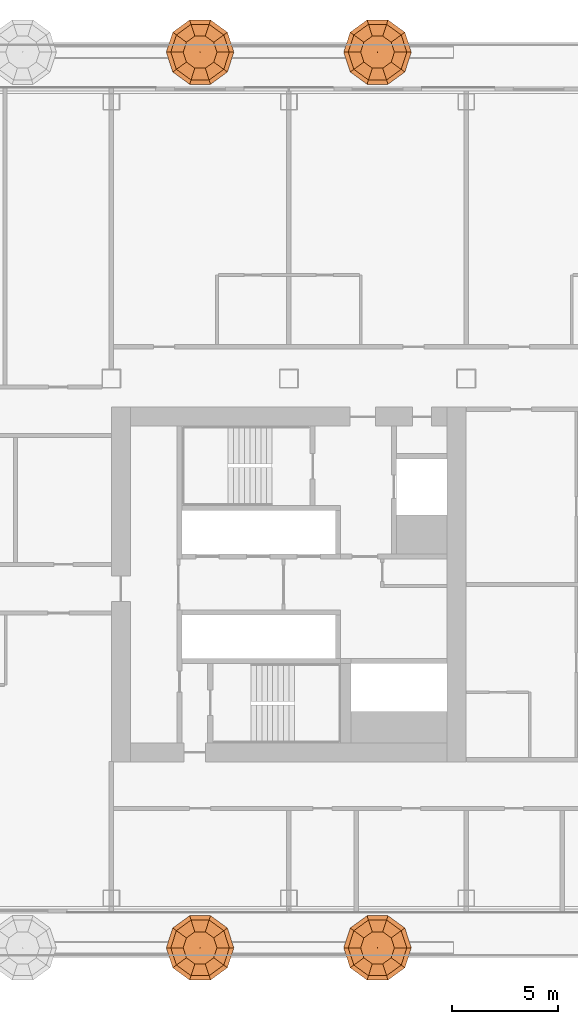
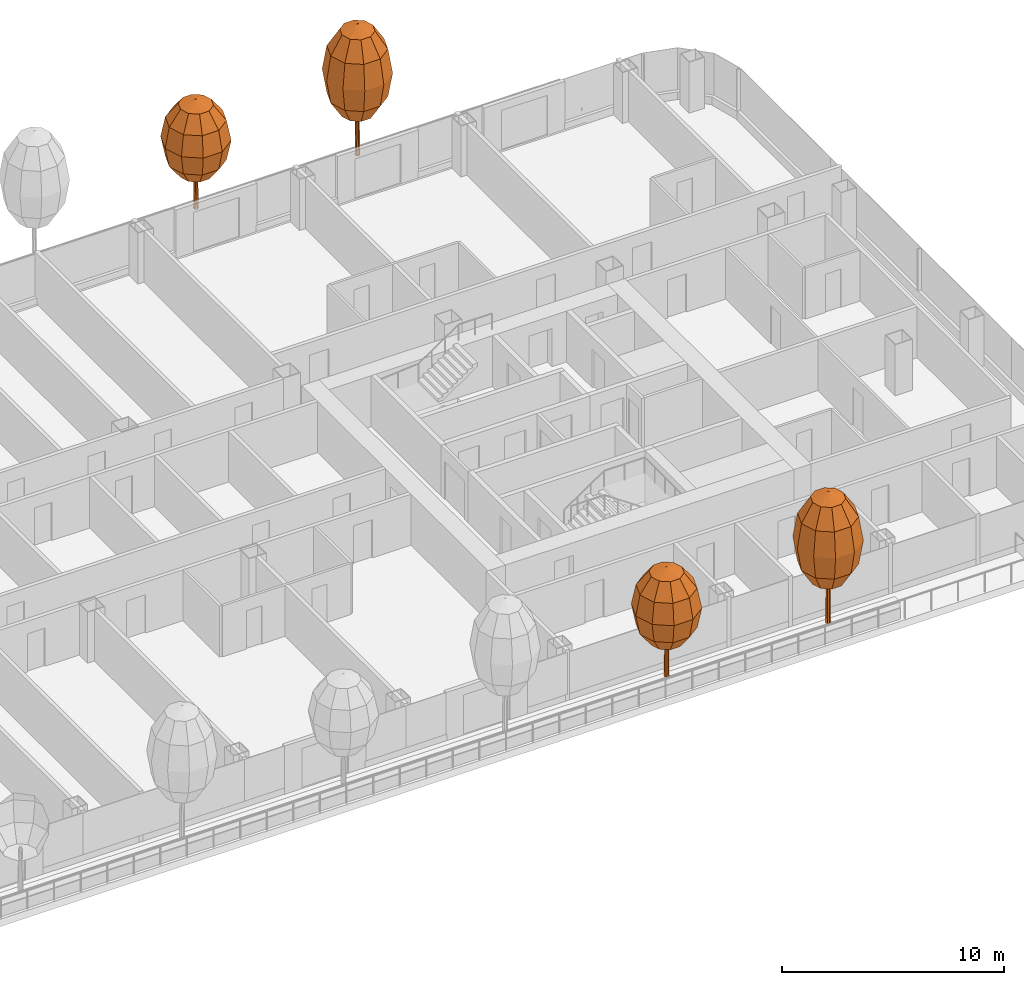
# One storey, part 34 of 34: 4 geographic elements.
"""IFC4 building model written with IfcOpenShell, lengths in metres."""

from ifc_helpers import new_model, si_unit, direction, frame, origin, place, context, subcontext, project, spatial, triangles, material, type_object, element, save


model = new_model("IFC4")

# Units and contexts
model_context = context("Model", 3, precision=1e-05, world=origin(), true_north=direction((0.0, 1.0)))
body_context = subcontext(model_context, "Body", "Model", "MODEL_VIEW")
ifc_project = project(units=[si_unit("LENGTHUNIT", "METRE"), si_unit("AREAUNIT", "SQUARE_METRE"), si_unit("VOLUMEUNIT", "CUBIC_METRE"), si_unit("PLANEANGLEUNIT", "RADIAN"), si_unit("MASSUNIT", "GRAM", prefix="KILO")], contexts=[model_context])

# Site, building, storey
site_placement = place(None, origin())
site = spatial("IfcSite", under=ifc_project, at=site_placement, CompositionType="ELEMENT")
building_placement = place(site_placement, origin())
building = spatial("IfcBuilding", under=site, at=building_placement, Name="Hakoniwa Tower and Hamabe Station Hall", CompositionType="ELEMENT")
storey_placement = place(building_placement, frame((0.0, 0.0, 107.39990234375)))
storey = spatial("IfcBuildingStorey", under=building, at=storey_placement, Name="L30", CompositionType="ELEMENT", Elevation=107.39990234375)

# Geographic elements
ifc_material_1 = material(Name="Tree foliage")
geographic_element_type_1 = type_object("IfcGeographicElementType", Name="Japanese maple 7.2 m", PredefinedType="USERDEFINED", material=ifc_material_1)
geographic_element_1_placement = place(storey_placement, frame((29.39990234375, 25.199951171875, 0.900146484375)))
element("IfcGeographicElement", 1, at=geographic_element_1_placement, inside=storey, type_object=geographic_element_type_1, Name="Japanese maple 7-2 m", ObjectType="TREE", PredefinedType="USERDEFINED", context=body_context, shape_type="Tessellation", body=[
    triangles([(0.125, 0.0, 0.0), (0.08837890625, 0.08837890625, 0.0), (0.0, 0.125, 0.0), (-0.08837890625, 0.08837890625, 0.0), (-0.125, 0.0, 0.0), (-0.08837890625, -0.08837890625, 0.0), (0.0, -0.125, 0.0), (0.08837890625, -0.08837890625, 0.0), (0.074951171875, 0.0, 4.348876953125), (0.052978515625, 0.052978515625, 4.348876953125), (0.0, 0.074951171875, 4.348876953125), (-0.052978515625, 0.052978515625, 4.348876953125), (-0.074951171875, 0.0, 4.348876953125), (-0.052978515625, -0.052978515625, 4.348876953125), (0.0, -0.074951171875, 4.348876953125), (0.052978515625, -0.052978515625, 4.348876953125), (0.0, 0.0, 0.0), (0.0, 0.0, 4.348876953125)], [[1, 2, 10], [1, 10, 9], [17, 2, 1], [18, 9, 10], [2, 3, 11], [2, 11, 10], [17, 3, 2], [18, 10, 11], [3, 4, 12], [3, 12, 11], [17, 4, 3], [18, 11, 12], [4, 5, 13], [4, 13, 12], [17, 5, 4], [18, 12, 13], [5, 6, 14], [5, 14, 13], [17, 6, 5], [18, 13, 14], [6, 7, 15], [6, 15, 14], [17, 7, 6], [18, 14, 15], [7, 8, 16], [7, 16, 15], [17, 8, 7], [18, 15, 16], [8, 1, 9], [8, 9, 16], [17, 1, 8], [18, 16, 9]], closed=True),
    triangles([(0.0, 0.0, 2.015869140625), (0.800048828125, 0.0, 2.36328125), (0.647216796875, 0.47021484375, 2.36328125), (0.247314453125, 0.7607421875, 2.36328125), (-0.247314453125, 0.7607421875, 2.36328125), (-0.647216796875, 0.47021484375, 2.36328125), (-0.800048828125, 0.0, 2.36328125), (-0.647216796875, -0.47021484375, 2.36328125), (-0.247314453125, -0.7607421875, 2.36328125), (0.247314453125, -0.7607421875, 2.36328125), (0.647216796875, -0.47021484375, 2.36328125), (1.385498046875, 0.0, 3.31201171875), (1.12109375, 0.814453125, 3.31201171875), (0.42822265625, 1.31787109375, 3.31201171875), (-0.42822265625, 1.31787109375, 3.31201171875), (-1.12109375, 0.814453125, 3.31201171875), (-1.385498046875, 0.0, 3.31201171875), (-1.12109375, -0.814453125, 3.31201171875), (-0.42822265625, -1.31787109375, 3.31201171875), (0.42822265625, -1.31787109375, 3.31201171875), (1.12109375, -0.814453125, 3.31201171875), (1.60009765625, 0.0, 4.60791015625), (1.29443359375, 0.9404296875, 4.60791015625), (0.494384765625, 1.521728515625, 4.60791015625), (-0.494384765625, 1.521728515625, 4.60791015625), (-1.29443359375, 0.9404296875, 4.60791015625), (-1.60009765625, 0.0, 4.60791015625), (-1.29443359375, -0.9404296875, 4.60791015625), (-0.494384765625, -1.521728515625, 4.60791015625), (0.494384765625, -1.521728515625, 4.60791015625), (1.29443359375, -0.9404296875, 4.60791015625), (1.385498046875, 0.0, 5.904052734375), (1.12109375, 0.814453125, 5.904052734375), (0.42822265625, 1.31787109375, 5.904052734375), (-0.42822265625, 1.31787109375, 5.904052734375), (-1.12109375, 0.814453125, 5.904052734375), (-1.385498046875, 0.0, 5.904052734375), (-1.12109375, -0.814453125, 5.904052734375), (-0.42822265625, -1.31787109375, 5.904052734375), (0.42822265625, -1.31787109375, 5.904052734375), (1.12109375, -0.814453125, 5.904052734375), (0.800048828125, 0.0, 6.852783203125), (0.647216796875, 0.47021484375, 6.852783203125), (0.247314453125, 0.7607421875, 6.852783203125), (-0.247314453125, 0.7607421875, 6.852783203125), (-0.647216796875, 0.47021484375, 6.852783203125), (-0.800048828125, 0.0, 6.852783203125), (-0.647216796875, -0.47021484375, 6.852783203125), (-0.247314453125, -0.7607421875, 6.852783203125), (0.247314453125, -0.7607421875, 6.852783203125), (0.647216796875, -0.47021484375, 6.852783203125), (0.0, 0.0, 7.199951171875)], [[1, 3, 2], [1, 4, 3], [1, 5, 4], [1, 6, 5], [1, 7, 6], [1, 8, 7], [1, 9, 8], [1, 10, 9], [1, 11, 10], [1, 2, 11], [2, 3, 13], [2, 13, 12], [3, 4, 14], [3, 14, 13], [4, 5, 15], [4, 15, 14], [5, 6, 16], [5, 16, 15], [6, 7, 17], [6, 17, 16], [7, 8, 18], [7, 18, 17], [8, 9, 19], [8, 19, 18], [9, 10, 20], [9, 20, 19], [10, 11, 21], [10, 21, 20], [11, 2, 12], [11, 12, 21], [12, 13, 23], [12, 23, 22], [13, 14, 24], [13, 24, 23], [14, 15, 25], [14, 25, 24], [15, 16, 26], [15, 26, 25], [16, 17, 27], [16, 27, 26], [17, 18, 28], [17, 28, 27], [18, 19, 29], [18, 29, 28], [19, 20, 30], [19, 30, 29], [20, 21, 31], [20, 31, 30], [21, 12, 22], [21, 22, 31], [22, 23, 33], [22, 33, 32], [23, 24, 34], [23, 34, 33], [24, 25, 35], [24, 35, 34], [25, 26, 36], [25, 36, 35], [26, 27, 37], [26, 37, 36], [27, 28, 38], [27, 38, 37], [28, 29, 39], [28, 39, 38], [29, 30, 40], [29, 40, 39], [30, 31, 41], [30, 41, 40], [31, 22, 32], [31, 32, 41], [32, 33, 43], [32, 43, 42], [33, 34, 44], [33, 44, 43], [34, 35, 45], [34, 45, 44], [35, 36, 46], [35, 46, 45], [36, 37, 47], [36, 47, 46], [37, 38, 48], [37, 48, 47], [38, 39, 49], [38, 49, 48], [39, 40, 50], [39, 50, 49], [40, 41, 51], [40, 51, 50], [41, 32, 42], [41, 42, 51], [52, 42, 43], [52, 43, 44], [52, 44, 45], [52, 45, 46], [52, 46, 47], [52, 47, 48], [52, 48, 49], [52, 49, 50], [52, 50, 51], [52, 51, 42]], closed=True),
])
geographic_element_2_placement = place(storey_placement, frame((29.39990234375, -17.199951171875, 0.900146484375)))
element("IfcGeographicElement", 2, at=geographic_element_2_placement, inside=storey, type_object=geographic_element_type_1, Name="Japanese maple 7-2 m", ObjectType="TREE", PredefinedType="USERDEFINED", context=body_context, shape_type="Tessellation", body=[
    triangles([(0.125, 0.0, 0.0), (0.08837890625, 0.08837890625, 0.0), (0.0, 0.125, 0.0), (-0.08837890625, 0.08837890625, 0.0), (-0.125, 0.0, 0.0), (-0.08837890625, -0.08837890625, 0.0), (0.0, -0.125, 0.0), (0.08837890625, -0.08837890625, 0.0), (0.074951171875, 0.0, 4.348876953125), (0.052978515625, 0.052978515625, 4.348876953125), (0.0, 0.074951171875, 4.348876953125), (-0.052978515625, 0.052978515625, 4.348876953125), (-0.074951171875, 0.0, 4.348876953125), (-0.052978515625, -0.052978515625, 4.348876953125), (0.0, -0.074951171875, 4.348876953125), (0.052978515625, -0.052978515625, 4.348876953125), (0.0, 0.0, 0.0), (0.0, 0.0, 4.348876953125)], [[1, 2, 10], [1, 10, 9], [17, 2, 1], [18, 9, 10], [2, 3, 11], [2, 11, 10], [17, 3, 2], [18, 10, 11], [3, 4, 12], [3, 12, 11], [17, 4, 3], [18, 11, 12], [4, 5, 13], [4, 13, 12], [17, 5, 4], [18, 12, 13], [5, 6, 14], [5, 14, 13], [17, 6, 5], [18, 13, 14], [6, 7, 15], [6, 15, 14], [17, 7, 6], [18, 14, 15], [7, 8, 16], [7, 16, 15], [17, 8, 7], [18, 15, 16], [8, 1, 9], [8, 9, 16], [17, 1, 8], [18, 16, 9]], closed=True),
    triangles([(0.0, 0.0, 2.015869140625), (0.800048828125, 0.0, 2.36328125), (0.647216796875, 0.47021484375, 2.36328125), (0.247314453125, 0.7607421875, 2.36328125), (-0.247314453125, 0.7607421875, 2.36328125), (-0.647216796875, 0.47021484375, 2.36328125), (-0.800048828125, 0.0, 2.36328125), (-0.647216796875, -0.47021484375, 2.36328125), (-0.247314453125, -0.7607421875, 2.36328125), (0.247314453125, -0.7607421875, 2.36328125), (0.647216796875, -0.47021484375, 2.36328125), (1.385498046875, 0.0, 3.31201171875), (1.12109375, 0.814453125, 3.31201171875), (0.42822265625, 1.31787109375, 3.31201171875), (-0.42822265625, 1.31787109375, 3.31201171875), (-1.12109375, 0.814453125, 3.31201171875), (-1.385498046875, 0.0, 3.31201171875), (-1.12109375, -0.814453125, 3.31201171875), (-0.42822265625, -1.31787109375, 3.31201171875), (0.42822265625, -1.31787109375, 3.31201171875), (1.12109375, -0.814453125, 3.31201171875), (1.60009765625, 0.0, 4.60791015625), (1.29443359375, 0.9404296875, 4.60791015625), (0.494384765625, 1.521728515625, 4.60791015625), (-0.494384765625, 1.521728515625, 4.60791015625), (-1.29443359375, 0.9404296875, 4.60791015625), (-1.60009765625, 0.0, 4.60791015625), (-1.29443359375, -0.9404296875, 4.60791015625), (-0.494384765625, -1.521728515625, 4.60791015625), (0.494384765625, -1.521728515625, 4.60791015625), (1.29443359375, -0.9404296875, 4.60791015625), (1.385498046875, 0.0, 5.904052734375), (1.12109375, 0.814453125, 5.904052734375), (0.42822265625, 1.31787109375, 5.904052734375), (-0.42822265625, 1.31787109375, 5.904052734375), (-1.12109375, 0.814453125, 5.904052734375), (-1.385498046875, 0.0, 5.904052734375), (-1.12109375, -0.814453125, 5.904052734375), (-0.42822265625, -1.31787109375, 5.904052734375), (0.42822265625, -1.31787109375, 5.904052734375), (1.12109375, -0.814453125, 5.904052734375), (0.800048828125, 0.0, 6.852783203125), (0.647216796875, 0.47021484375, 6.852783203125), (0.247314453125, 0.7607421875, 6.852783203125), (-0.247314453125, 0.7607421875, 6.852783203125), (-0.647216796875, 0.47021484375, 6.852783203125), (-0.800048828125, 0.0, 6.852783203125), (-0.647216796875, -0.47021484375, 6.852783203125), (-0.247314453125, -0.7607421875, 6.852783203125), (0.247314453125, -0.7607421875, 6.852783203125), (0.647216796875, -0.47021484375, 6.852783203125), (0.0, 0.0, 7.199951171875)], [[1, 3, 2], [1, 4, 3], [1, 5, 4], [1, 6, 5], [1, 7, 6], [1, 8, 7], [1, 9, 8], [1, 10, 9], [1, 11, 10], [1, 2, 11], [2, 3, 13], [2, 13, 12], [3, 4, 14], [3, 14, 13], [4, 5, 15], [4, 15, 14], [5, 6, 16], [5, 16, 15], [6, 7, 17], [6, 17, 16], [7, 8, 18], [7, 18, 17], [8, 9, 19], [8, 19, 18], [9, 10, 20], [9, 20, 19], [10, 11, 21], [10, 21, 20], [11, 2, 12], [11, 12, 21], [12, 13, 23], [12, 23, 22], [13, 14, 24], [13, 24, 23], [14, 15, 25], [14, 25, 24], [15, 16, 26], [15, 26, 25], [16, 17, 27], [16, 27, 26], [17, 18, 28], [17, 28, 27], [18, 19, 29], [18, 29, 28], [19, 20, 30], [19, 30, 29], [20, 21, 31], [20, 31, 30], [21, 12, 22], [21, 22, 31], [22, 23, 33], [22, 33, 32], [23, 24, 34], [23, 34, 33], [24, 25, 35], [24, 35, 34], [25, 26, 36], [25, 36, 35], [26, 27, 37], [26, 37, 36], [27, 28, 38], [27, 38, 37], [28, 29, 39], [28, 39, 38], [29, 30, 40], [29, 40, 39], [30, 31, 41], [30, 41, 40], [31, 22, 32], [31, 32, 41], [32, 33, 43], [32, 43, 42], [33, 34, 44], [33, 44, 43], [34, 35, 45], [34, 45, 44], [35, 36, 46], [35, 46, 45], [36, 37, 47], [36, 47, 46], [37, 38, 48], [37, 48, 47], [38, 39, 49], [38, 49, 48], [39, 40, 50], [39, 50, 49], [40, 41, 51], [40, 51, 50], [41, 32, 42], [41, 42, 51], [52, 42, 43], [52, 43, 44], [52, 44, 45], [52, 45, 46], [52, 46, 47], [52, 47, 48], [52, 48, 49], [52, 49, 50], [52, 50, 51], [52, 51, 42]], closed=True),
])
ifc_material_2 = material(Name="Tree foliage")
geographic_element_type_2 = type_object("IfcGeographicElementType", Name="Osmanthus 6.0 m", PredefinedType="USERDEFINED", material=ifc_material_2)
geographic_element_3_placement = place(storey_placement, frame((21.0, 25.199951171875, 0.900146484375)))
element("IfcGeographicElement", 3, at=geographic_element_3_placement, inside=storey, type_object=geographic_element_type_2, Name="Osmanthus 6-0 m", ObjectType="TREE", PredefinedType="USERDEFINED", context=body_context, shape_type="Tessellation", body=[
    triangles([(0.125, 0.0, 0.0), (0.08837890625, 0.08837890625, 0.0), (0.0, 0.125, 0.0), (-0.08837890625, 0.08837890625, 0.0), (-0.125, 0.0, 0.0), (-0.08837890625, -0.08837890625, 0.0), (0.0, -0.125, 0.0), (0.08837890625, -0.08837890625, 0.0), (0.074951171875, 0.0, 3.6240234375), (0.052978515625, 0.052978515625, 3.6240234375), (0.0, 0.074951171875, 3.6240234375), (-0.052978515625, 0.052978515625, 3.6240234375), (-0.074951171875, 0.0, 3.6240234375), (-0.052978515625, -0.052978515625, 3.6240234375), (0.0, -0.074951171875, 3.6240234375), (0.052978515625, -0.052978515625, 3.6240234375), (0.0, 0.0, 0.0), (0.0, 0.0, 3.6240234375)], [[1, 2, 10], [1, 10, 9], [17, 2, 1], [18, 9, 10], [2, 3, 11], [2, 11, 10], [17, 3, 2], [18, 10, 11], [3, 4, 12], [3, 12, 11], [17, 4, 3], [18, 11, 12], [4, 5, 13], [4, 13, 12], [17, 5, 4], [18, 12, 13], [5, 6, 14], [5, 14, 13], [17, 6, 5], [18, 13, 14], [6, 7, 15], [6, 15, 14], [17, 7, 6], [18, 14, 15], [7, 8, 16], [7, 16, 15], [17, 8, 7], [18, 15, 16], [8, 1, 9], [8, 9, 16], [17, 1, 8], [18, 16, 9]], closed=True),
    triangles([(0.0, 0.0, 1.679931640625), (0.800048828125, 0.0, 1.969482421875), (0.647216796875, 0.47021484375, 1.969482421875), (0.247314453125, 0.7607421875, 1.969482421875), (-0.247314453125, 0.7607421875, 1.969482421875), (-0.647216796875, 0.47021484375, 1.969482421875), (-0.800048828125, 0.0, 1.969482421875), (-0.647216796875, -0.47021484375, 1.969482421875), (-0.247314453125, -0.7607421875, 1.969482421875), (0.247314453125, -0.7607421875, 1.969482421875), (0.647216796875, -0.47021484375, 1.969482421875), (1.385498046875, 0.0, 2.760009765625), (1.12109375, 0.814453125, 2.760009765625), (0.42822265625, 1.31787109375, 2.760009765625), (-0.42822265625, 1.31787109375, 2.760009765625), (-1.12109375, 0.814453125, 2.760009765625), (-1.385498046875, 0.0, 2.760009765625), (-1.12109375, -0.814453125, 2.760009765625), (-0.42822265625, -1.31787109375, 2.760009765625), (0.42822265625, -1.31787109375, 2.760009765625), (1.12109375, -0.814453125, 2.760009765625), (1.60009765625, 0.0, 3.840087890625), (1.29443359375, 0.9404296875, 3.840087890625), (0.494384765625, 1.521728515625, 3.840087890625), (-0.494384765625, 1.521728515625, 3.840087890625), (-1.29443359375, 0.9404296875, 3.840087890625), (-1.60009765625, 0.0, 3.840087890625), (-1.29443359375, -0.9404296875, 3.840087890625), (-0.494384765625, -1.521728515625, 3.840087890625), (0.494384765625, -1.521728515625, 3.840087890625), (1.29443359375, -0.9404296875, 3.840087890625), (1.385498046875, 0.0, 4.919921875), (1.12109375, 0.814453125, 4.919921875), (0.42822265625, 1.31787109375, 4.919921875), (-0.42822265625, 1.31787109375, 4.919921875), (-1.12109375, 0.814453125, 4.919921875), (-1.385498046875, 0.0, 4.919921875), (-1.12109375, -0.814453125, 4.919921875), (-0.42822265625, -1.31787109375, 4.919921875), (0.42822265625, -1.31787109375, 4.919921875), (1.12109375, -0.814453125, 4.919921875), (0.800048828125, 0.0, 5.710693359375), (0.647216796875, 0.47021484375, 5.710693359375), (0.247314453125, 0.7607421875, 5.710693359375), (-0.247314453125, 0.7607421875, 5.710693359375), (-0.647216796875, 0.47021484375, 5.710693359375), (-0.800048828125, 0.0, 5.710693359375), (-0.647216796875, -0.47021484375, 5.710693359375), (-0.247314453125, -0.7607421875, 5.710693359375), (0.247314453125, -0.7607421875, 5.710693359375), (0.647216796875, -0.47021484375, 5.710693359375), (0.0, 0.0, 6.0)], [[1, 3, 2], [1, 4, 3], [1, 5, 4], [1, 6, 5], [1, 7, 6], [1, 8, 7], [1, 9, 8], [1, 10, 9], [1, 11, 10], [1, 2, 11], [2, 3, 13], [2, 13, 12], [3, 4, 14], [3, 14, 13], [4, 5, 15], [4, 15, 14], [5, 6, 16], [5, 16, 15], [6, 7, 17], [6, 17, 16], [7, 8, 18], [7, 18, 17], [8, 9, 19], [8, 19, 18], [9, 10, 20], [9, 20, 19], [10, 11, 21], [10, 21, 20], [11, 2, 12], [11, 12, 21], [12, 13, 23], [12, 23, 22], [13, 14, 24], [13, 24, 23], [14, 15, 25], [14, 25, 24], [15, 16, 26], [15, 26, 25], [16, 17, 27], [16, 27, 26], [17, 18, 28], [17, 28, 27], [18, 19, 29], [18, 29, 28], [19, 20, 30], [19, 30, 29], [20, 21, 31], [20, 31, 30], [21, 12, 22], [21, 22, 31], [22, 23, 33], [22, 33, 32], [23, 24, 34], [23, 34, 33], [24, 25, 35], [24, 35, 34], [25, 26, 36], [25, 36, 35], [26, 27, 37], [26, 37, 36], [27, 28, 38], [27, 38, 37], [28, 29, 39], [28, 39, 38], [29, 30, 40], [29, 40, 39], [30, 31, 41], [30, 41, 40], [31, 22, 32], [31, 32, 41], [32, 33, 43], [32, 43, 42], [33, 34, 44], [33, 44, 43], [34, 35, 45], [34, 45, 44], [35, 36, 46], [35, 46, 45], [36, 37, 47], [36, 47, 46], [37, 38, 48], [37, 48, 47], [38, 39, 49], [38, 49, 48], [39, 40, 50], [39, 50, 49], [40, 41, 51], [40, 51, 50], [41, 32, 42], [41, 42, 51], [52, 42, 43], [52, 43, 44], [52, 44, 45], [52, 45, 46], [52, 46, 47], [52, 47, 48], [52, 48, 49], [52, 49, 50], [52, 50, 51], [52, 51, 42]], closed=True),
])
geographic_element_4_placement = place(storey_placement, frame((21.0, -17.199951171875, 0.900146484375)))
element("IfcGeographicElement", 4, at=geographic_element_4_placement, inside=storey, type_object=geographic_element_type_2, Name="Osmanthus 6-0 m", ObjectType="TREE", PredefinedType="USERDEFINED", context=body_context, shape_type="Tessellation", body=[
    triangles([(0.125, 0.0, 0.0), (0.08837890625, 0.08837890625, 0.0), (0.0, 0.125, 0.0), (-0.08837890625, 0.08837890625, 0.0), (-0.125, 0.0, 0.0), (-0.08837890625, -0.08837890625, 0.0), (0.0, -0.125, 0.0), (0.08837890625, -0.08837890625, 0.0), (0.074951171875, 0.0, 3.6240234375), (0.052978515625, 0.052978515625, 3.6240234375), (0.0, 0.074951171875, 3.6240234375), (-0.052978515625, 0.052978515625, 3.6240234375), (-0.074951171875, 0.0, 3.6240234375), (-0.052978515625, -0.052978515625, 3.6240234375), (0.0, -0.074951171875, 3.6240234375), (0.052978515625, -0.052978515625, 3.6240234375), (0.0, 0.0, 0.0), (0.0, 0.0, 3.6240234375)], [[1, 2, 10], [1, 10, 9], [17, 2, 1], [18, 9, 10], [2, 3, 11], [2, 11, 10], [17, 3, 2], [18, 10, 11], [3, 4, 12], [3, 12, 11], [17, 4, 3], [18, 11, 12], [4, 5, 13], [4, 13, 12], [17, 5, 4], [18, 12, 13], [5, 6, 14], [5, 14, 13], [17, 6, 5], [18, 13, 14], [6, 7, 15], [6, 15, 14], [17, 7, 6], [18, 14, 15], [7, 8, 16], [7, 16, 15], [17, 8, 7], [18, 15, 16], [8, 1, 9], [8, 9, 16], [17, 1, 8], [18, 16, 9]], closed=True),
    triangles([(0.0, 0.0, 1.679931640625), (0.800048828125, 0.0, 1.969482421875), (0.647216796875, 0.47021484375, 1.969482421875), (0.247314453125, 0.7607421875, 1.969482421875), (-0.247314453125, 0.7607421875, 1.969482421875), (-0.647216796875, 0.47021484375, 1.969482421875), (-0.800048828125, 0.0, 1.969482421875), (-0.647216796875, -0.47021484375, 1.969482421875), (-0.247314453125, -0.7607421875, 1.969482421875), (0.247314453125, -0.7607421875, 1.969482421875), (0.647216796875, -0.47021484375, 1.969482421875), (1.385498046875, 0.0, 2.760009765625), (1.12109375, 0.814453125, 2.760009765625), (0.42822265625, 1.31787109375, 2.760009765625), (-0.42822265625, 1.31787109375, 2.760009765625), (-1.12109375, 0.814453125, 2.760009765625), (-1.385498046875, 0.0, 2.760009765625), (-1.12109375, -0.814453125, 2.760009765625), (-0.42822265625, -1.31787109375, 2.760009765625), (0.42822265625, -1.31787109375, 2.760009765625), (1.12109375, -0.814453125, 2.760009765625), (1.60009765625, 0.0, 3.840087890625), (1.29443359375, 0.9404296875, 3.840087890625), (0.494384765625, 1.521728515625, 3.840087890625), (-0.494384765625, 1.521728515625, 3.840087890625), (-1.29443359375, 0.9404296875, 3.840087890625), (-1.60009765625, 0.0, 3.840087890625), (-1.29443359375, -0.9404296875, 3.840087890625), (-0.494384765625, -1.521728515625, 3.840087890625), (0.494384765625, -1.521728515625, 3.840087890625), (1.29443359375, -0.9404296875, 3.840087890625), (1.385498046875, 0.0, 4.919921875), (1.12109375, 0.814453125, 4.919921875), (0.42822265625, 1.31787109375, 4.919921875), (-0.42822265625, 1.31787109375, 4.919921875), (-1.12109375, 0.814453125, 4.919921875), (-1.385498046875, 0.0, 4.919921875), (-1.12109375, -0.814453125, 4.919921875), (-0.42822265625, -1.31787109375, 4.919921875), (0.42822265625, -1.31787109375, 4.919921875), (1.12109375, -0.814453125, 4.919921875), (0.800048828125, 0.0, 5.710693359375), (0.647216796875, 0.47021484375, 5.710693359375), (0.247314453125, 0.7607421875, 5.710693359375), (-0.247314453125, 0.7607421875, 5.710693359375), (-0.647216796875, 0.47021484375, 5.710693359375), (-0.800048828125, 0.0, 5.710693359375), (-0.647216796875, -0.47021484375, 5.710693359375), (-0.247314453125, -0.7607421875, 5.710693359375), (0.247314453125, -0.7607421875, 5.710693359375), (0.647216796875, -0.47021484375, 5.710693359375), (0.0, 0.0, 6.0)], [[1, 3, 2], [1, 4, 3], [1, 5, 4], [1, 6, 5], [1, 7, 6], [1, 8, 7], [1, 9, 8], [1, 10, 9], [1, 11, 10], [1, 2, 11], [2, 3, 13], [2, 13, 12], [3, 4, 14], [3, 14, 13], [4, 5, 15], [4, 15, 14], [5, 6, 16], [5, 16, 15], [6, 7, 17], [6, 17, 16], [7, 8, 18], [7, 18, 17], [8, 9, 19], [8, 19, 18], [9, 10, 20], [9, 20, 19], [10, 11, 21], [10, 21, 20], [11, 2, 12], [11, 12, 21], [12, 13, 23], [12, 23, 22], [13, 14, 24], [13, 24, 23], [14, 15, 25], [14, 25, 24], [15, 16, 26], [15, 26, 25], [16, 17, 27], [16, 27, 26], [17, 18, 28], [17, 28, 27], [18, 19, 29], [18, 29, 28], [19, 20, 30], [19, 30, 29], [20, 21, 31], [20, 31, 30], [21, 12, 22], [21, 22, 31], [22, 23, 33], [22, 33, 32], [23, 24, 34], [23, 34, 33], [24, 25, 35], [24, 35, 34], [25, 26, 36], [25, 36, 35], [26, 27, 37], [26, 37, 36], [27, 28, 38], [27, 38, 37], [28, 29, 39], [28, 39, 38], [29, 30, 40], [29, 40, 39], [30, 31, 41], [30, 41, 40], [31, 22, 32], [31, 32, 41], [32, 33, 43], [32, 43, 42], [33, 34, 44], [33, 44, 43], [34, 35, 45], [34, 45, 44], [35, 36, 46], [35, 46, 45], [36, 37, 47], [36, 47, 46], [37, 38, 48], [37, 48, 47], [38, 39, 49], [38, 49, 48], [39, 40, 50], [39, 50, 49], [40, 41, 51], [40, 51, 50], [41, 32, 42], [41, 42, 51], [52, 42, 43], [52, 43, 44], [52, 44, 45], [52, 45, 46], [52, 46, 47], [52, 47, 48], [52, 48, 49], [52, 49, 50], [52, 50, 51], [52, 51, 42]], closed=True),
])

save(model, "model.ifc")
